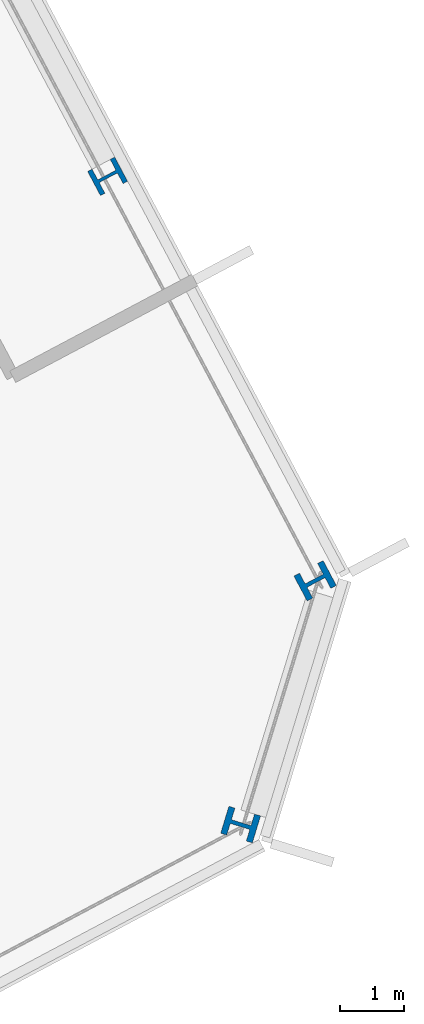
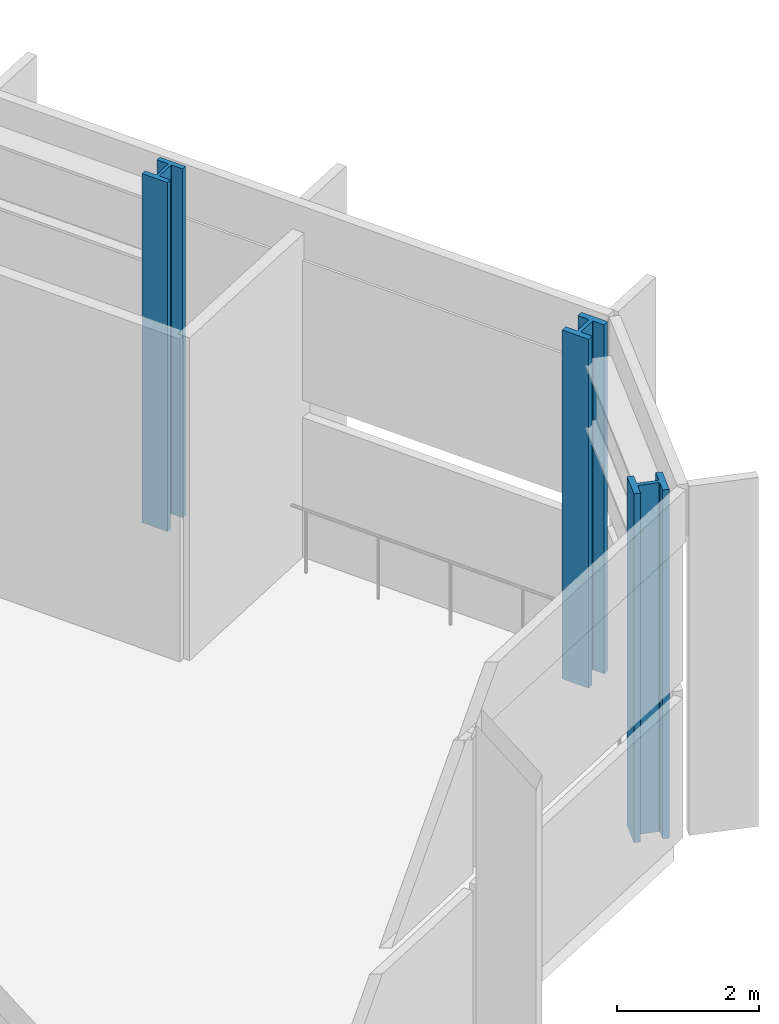
# One storey, part 6 of 33: 3 columns.
"""IFC4 building model written with IfcOpenShell, lengths in metres."""

from ifc_helpers import new_model, si_unit, direction, frame, origin, origin_2d, place, context, subcontext, project, spatial, i_section, extrude, material, material_profile, profile_set, type_object, element, save


model = new_model("IFC4")

# Units and contexts
model_context = context("Model", 3, precision=1e-05, world=origin(), true_north=direction((0.0, 1.0)))
body_context = subcontext(model_context, "Body", "Model", "MODEL_VIEW")
ifc_project = project(units=[si_unit("LENGTHUNIT", "METRE"), si_unit("AREAUNIT", "SQUARE_METRE"), si_unit("VOLUMEUNIT", "CUBIC_METRE"), si_unit("PLANEANGLEUNIT", "RADIAN"), si_unit("MASSUNIT", "GRAM", prefix="KILO")], contexts=[model_context])

# Site, building, storey
site_placement = place(None, origin())
site = spatial("IfcSite", under=ifc_project, at=site_placement, CompositionType="ELEMENT")
building_placement = place(site_placement, origin())
building = spatial("IfcBuilding", under=site, at=building_placement, Name="Cormorant Relay Tower", CompositionType="ELEMENT")
storey_placement = place(building_placement, frame((0.0, 0.0, 112.199951171875)))
storey = spatial("IfcBuildingStorey", under=building, at=storey_placement, Name="L22", CompositionType="ELEMENT", Elevation=112.199951171875)

# Columns
ifc_material_1 = material(Name="Steel ASTM A992 (Fy 345 MPa)", Category="steel")
ifc_material_profile_1 = material_profile(ifc_material_1, i_section(OverallWidth=0.42431640625, OverallDepth=0.47509765625, WebThickness=0.0478515625, FlangeThickness=0.0771484375, FilletRadius=0.014892578125, at=origin_2d()), Name="W360x634")
ifc_profile_set_1 = profile_set([ifc_material_profile_1], Name="Steel ASTM A992 (Fy 345 MPa)")
column_type_1 = type_object("IfcColumnType", Name="Column W360x634", PredefinedType="COLUMN", material=ifc_profile_set_1)
column_placement = place(storey_placement, frame((68.430908203125, 24.153076171875, 0.0), z_axis=(0.0, 0.0, 1.0), x_axis=(-0.469471562786, 0.882947592859, 0.0)))
element("IfcColumn", 1, at=column_placement, inside=storey, type_object=column_type_1, Name="Column L22-033", PredefinedType="COLUMN", context=body_context, shape_type="SweptSolid", body=[
    extrude(i_section(OverallWidth=0.42431640625, OverallDepth=0.47509765625, WebThickness=0.0478515625, FlangeThickness=0.0771484375, FilletRadius=0.014892578125, at=origin_2d()), origin(), (0.0, 0.0, 1.0), 6.0),
])
ifc_material_2 = material(Name="Steel ASTM A992 (Fy 345 MPa)", Category="steel")
ifc_material_profile_2 = material_profile(ifc_material_2, i_section(OverallWidth=0.43701171875, OverallDepth=0.51318359375, WebThickness=0.060546875, FlangeThickness=0.096923828125, FilletRadius=0.015380859375, at=origin_2d()), Name="W360x818")
ifc_profile_set_2 = profile_set([ifc_material_profile_2], Name="Steel ASTM A992 (Fy 345 MPa)")
column_type_2 = type_object("IfcColumnType", Name="Column W360x818", PredefinedType="COLUMN", material=ifc_profile_set_2)
for number, where, z_axis, x_axis, name in (
    (2, (70.4970703125, 14.0869140625, 0.0), (0.0, 0.0, 1.0), (0.292371704723, 0.956304755963, 0.0), "Column L22-026"),
    (3, (71.654052734375, 17.873046875, 0.0), (0.0, 0.0, 1.0), (-0.469471562786, 0.882947592859, 0.0), "Column L22-028"),
):
    element("IfcColumn", number, at=place(storey_placement, frame(where, z_axis=z_axis, x_axis=x_axis)), inside=storey, type_object=column_type_2, Name=name, PredefinedType="COLUMN", context=body_context, shape_type="SweptSolid", body=[
        extrude(i_section(OverallWidth=0.43701171875, OverallDepth=0.51318359375, WebThickness=0.060546875, FlangeThickness=0.096923828125, FilletRadius=0.015380859375, at=origin_2d()), origin(), (0.0, 0.0, 1.0), 6.0),
    ])

save(model, "model.ifc")
